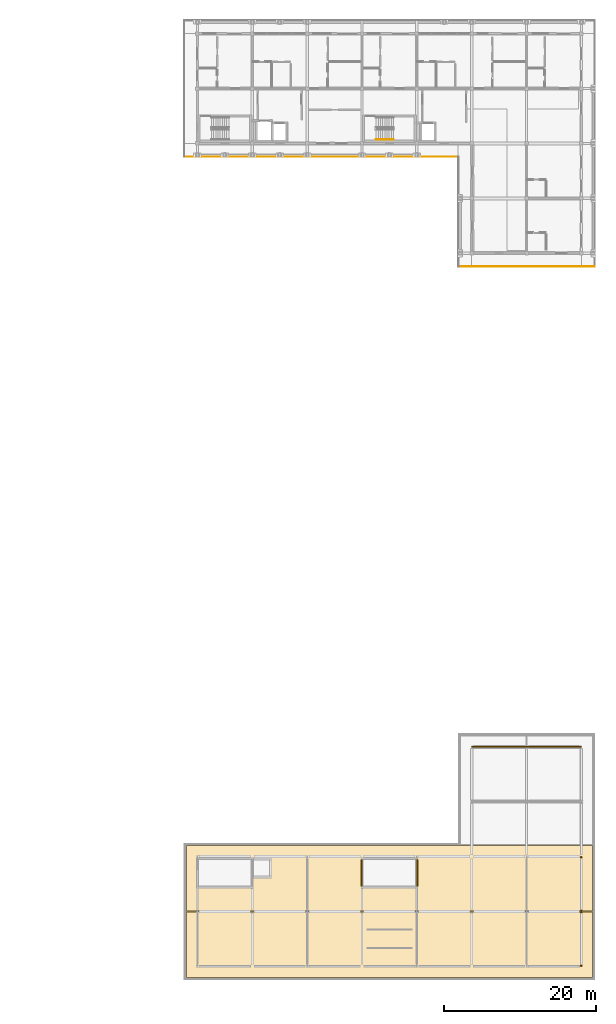
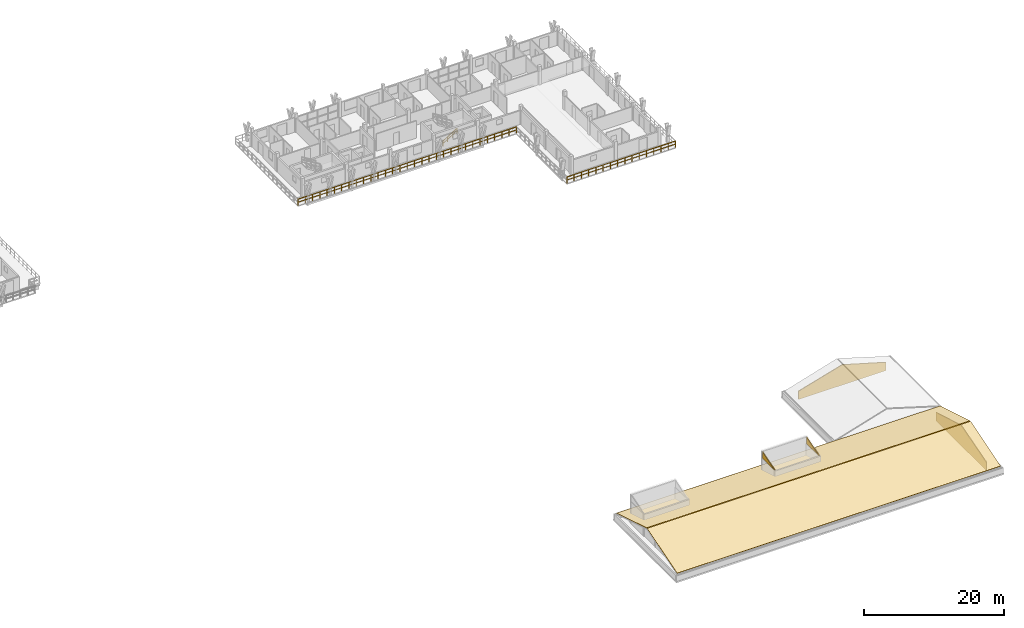
# One storey, part 43 of 45: 6 coverings, 3 railings.
"""IFC4 building model written with IfcOpenShell, lengths in metres."""

from ifc_helpers import new_model, si_unit, direction, frame, origin, origin_2d, place, context, subcontext, project, spatial, polyline, rectangle, outline, extrude, material, layer, layer_set, type_object, element, save


model = new_model("IFC4")

# Units and contexts
model_context = context("Model", 3, precision=1e-05, world=origin(), true_north=direction((0.0, 1.0)))
body_context = subcontext(model_context, "Body", "Model", "MODEL_VIEW")
ifc_project = project(units=[si_unit("LENGTHUNIT", "METRE"), si_unit("AREAUNIT", "SQUARE_METRE"), si_unit("VOLUMEUNIT", "CUBIC_METRE"), si_unit("PLANEANGLEUNIT", "RADIAN"), si_unit("MASSUNIT", "GRAM", prefix="KILO")], contexts=[model_context])

# Site, building, storey
site_placement = place(None, origin())
site = spatial("IfcSite", under=ifc_project, at=site_placement, CompositionType="ELEMENT")
building_placement = place(site_placement, origin())
building = spatial("IfcBuilding", under=site, at=building_placement, Name="Suanplinth Sawtooth Commons", CompositionType="ELEMENT")
storey_placement = place(building_placement, frame((0.0, 0.0, 38.0)))
storey = spatial("IfcBuildingStorey", under=building, at=storey_placement, Name="L11", CompositionType="ELEMENT", Elevation=38.0)

# Coverings
ifc_material_1 = material(Name="Insulated zinc-aluminium architectural wall panel", Category="aluminium")
ifc_layer_1 = layer(ifc_material_1, 0.139892578125, Name="Insulated architectural gable tympanum cladding 140mm")
ifc_layer_set_1 = layer_set([ifc_layer_1], Name="Insulated zinc-aluminium architectural wall panel")
covering_type_1 = type_object("IfcCoveringType", Name="CV-CL02", PredefinedType="CLADDING", material=ifc_layer_set_1)
for number, where, z_axis, x_axis, name in (
    (1, (187.199951171875, 0.0, 0.0), (0.0, 0.0, 1.0), (0.0, 1.0, 0.0), "L11 Block C Crown E Gable Tympanum"),
    (2, (172.800048828125, 28.800048828125, 0.0), (0.0, 0.0, 1.0), (1.0, 0.0, 0.0), "L11 Block C Return Wing Gable Tympanum"),
):
    element("IfcCovering", number, at=place(storey_placement, frame(where, z_axis=z_axis, x_axis=x_axis)), inside=storey, type_object=covering_type_1, Name=name, PredefinedType="CLADDING", context=body_context, shape_type="SweptSolid", body=[
        extrude(outline(polyline([(0.0, 0.0), (14.39990234375, 0.0), (14.39990234375, 1.449951171875), (7.199951171875, 3.5400390625), (0.0, 1.449951171875), (0.0, 0.0)])), frame((0.0, 0.06982421875, 0.0), z_axis=(0.0, -1.0, 0.0), x_axis=(1.0, 0.0, 0.0)), (0.0, 0.0, 1.0), 0.139892578125),
    ])
for number, where, z_axis, x_axis, name in (
    (3, (158.3701171875, 10.5048828125, 3.820068359375), (0.0, 0.0, 1.0), (0.0, 1.0, 0.0), "Stair ST-S2 Headhouse Rake Cladding W"),
    (4, (165.6298828125, 10.5048828125, 3.820068359375), (0.0, 0.0, 1.0), (0.0, 1.0, 0.0), "Stair ST-S2 Headhouse Rake Cladding E"),
):
    element("IfcCovering", number, at=place(storey_placement, frame(where, z_axis=z_axis, x_axis=x_axis)), inside=storey, type_object=covering_type_1, Name=name, PredefinedType="CLADDING", context=body_context, shape_type="SweptSolid", body=[
        extrude(outline(polyline([(0.0, 0.0), (3.490234375, 0.0), (3.489990234375, 1.099853515625), (0.0, 0.0), (0.0, 0.0)])), frame((0.0, 0.06982421875, 0.0), z_axis=(0.0, -1.0, 0.0), x_axis=(1.0, 0.0, 0.0)), (0.0, 0.0, 1.0), 0.139892578125),
    ])
ifc_material_2 = material(Name="Standing-seam zinc-aluminium alloy sheet", Category="aluminium")
ifc_layer_2 = layer(ifc_material_2, 0.06494140625, Name="Standing-seam zinc-aluminium roof cladding 65mm")
ifc_layer_set_2 = layer_set([ifc_layer_2], Name="Standing-seam zinc-aluminium alloy sheet")
covering_type_2 = type_object("IfcCoveringType", Name="CV-RF01", PredefinedType="ROOFING", material=ifc_layer_set_2)
covering_1_placement = place(storey_placement, frame((135.35009765625, -1.449951171875, 1.155029296875), z_axis=(0.0, -0.290709251119, 0.956811439791), x_axis=(1.0, 0.0, 0.0)))
element("IfcCovering", 5, at=covering_1_placement, inside=storey, type_object=covering_type_2, Name="L11 Block C Crown South Standing-Seam Roof", PredefinedType="ROOFING", context=body_context, shape_type="SweptSolid", body=[
    extrude(outline(polyline([(0.0, 0.0), (53.2998046875, 0.0), (53.2998046875, 8.977572166027468), (0.0, 8.977572166027468), (0.0, 0.0)])), origin(), (0.0, 0.0, -1.0), 0.06494140625),
])
covering_2_placement = place(storey_placement, frame((135.35009765625, 15.85009765625, 1.155029296875), z_axis=(0.0, 0.290701687048, 0.956813737959), x_axis=(1.0, 0.0, 0.0)))
element("IfcCovering", 6, at=covering_2_placement, inside=storey, type_object=covering_type_2, Name="L11 Block C Crown North Standing-Seam Roof", PredefinedType="ROOFING", context=body_context, shape_type="SweptSolid", body=[
    extrude(outline(polyline([(0.0, 0.0), (53.2998046875, 0.0), (53.2998046875, -8.977805762850926), (0.0, -8.977805762850926), (0.0, 0.0)])), origin(), (0.0, 0.0, -1.0), 0.06494140625),
])

# Railings
ifc_material_3 = material(Name="Powder-coated galvanized steel", Category="steel")
railing_type_1 = type_object("IfcRailingType", Name="GR-01", PredefinedType="BALUSTRADE", material=ifc_material_3)
railing_1_placement = place(storey_placement, frame((171.06005859375, 106.260009765625, 0.0)))
element("IfcRailing", 7, at=railing_1_placement, inside=storey, type_object=railing_type_1, Name="L11 Block B Perimeter Balustrade 2", PredefinedType="BALUSTRADE", context=body_context, shape_type="SweptSolid", body=[
    extrude(rectangle(XDim=0.048095703125, YDim=0.048095703125, at=origin_2d()), frame((0.0, 0.0, 1.09619140625), z_axis=(-1.0, 0.0, 0.0), x_axis=(0.0, -1.0, 0.0)), (0.0, 0.0, 1.0), 36.0),
    extrude(rectangle(XDim=0.03369140625, YDim=0.03369140625, at=origin_2d()), frame((0.0, 0.0, 0.56005859375), z_axis=(-1.0, 0.0, 0.0), x_axis=(0.0, -1.0, 0.0)), (0.0, 0.0, 1.0), 36.0),
    extrude(rectangle(XDim=0.0419921875, YDim=0.0419921875, at=origin_2d()), origin(), (0.0, 0.0, 1.0), 1.072021484375),
    extrude(rectangle(XDim=0.0419921875, YDim=0.0419921875, at=origin_2d()), frame((-1.199951171875, 0.0, 0.0)), (0.0, 0.0, 1.0), 1.072021484375),
    extrude(rectangle(XDim=0.0419921875, YDim=0.0419921875, at=origin_2d()), frame((-2.39990234375, 0.0, 0.0)), (0.0, 0.0, 1.0), 1.072021484375),
    extrude(rectangle(XDim=0.0419921875, YDim=0.0419921875, at=origin_2d()), frame((-3.60009765625, 0.0, 0.0)), (0.0, 0.0, 1.0), 1.072021484375),
    extrude(rectangle(XDim=0.0419921875, YDim=0.0419921875, at=origin_2d()), frame((-4.800048828125, 0.0, 0.0)), (0.0, 0.0, 1.0), 1.072021484375),
    extrude(rectangle(XDim=0.0419921875, YDim=0.0419921875, at=origin_2d()), frame((-6.0, 0.0, 0.0)), (0.0, 0.0, 1.0), 1.072021484375),
    extrude(rectangle(XDim=0.0419921875, YDim=0.0419921875, at=origin_2d()), frame((-7.199951171875, 0.0, 0.0)), (0.0, 0.0, 1.0), 1.072021484375),
    extrude(rectangle(XDim=0.0419921875, YDim=0.0419921875, at=origin_2d()), frame((-8.39990234375, 0.0, 0.0)), (0.0, 0.0, 1.0), 1.072021484375),
    extrude(rectangle(XDim=0.0419921875, YDim=0.0419921875, at=origin_2d()), frame((-9.60009765625, 0.0, 0.0)), (0.0, 0.0, 1.0), 1.072021484375),
    extrude(rectangle(XDim=0.0419921875, YDim=0.0419921875, at=origin_2d()), frame((-10.800048828125, 0.0, 0.0)), (0.0, 0.0, 1.0), 1.072021484375),
    extrude(rectangle(XDim=0.0419921875, YDim=0.0419921875, at=origin_2d()), frame((-12.0, 0.0, 0.0)), (0.0, 0.0, 1.0), 1.072021484375),
    extrude(rectangle(XDim=0.0419921875, YDim=0.0419921875, at=origin_2d()), frame((-13.199951171875, 0.0, 0.0)), (0.0, 0.0, 1.0), 1.072021484375),
    extrude(rectangle(XDim=0.0419921875, YDim=0.0419921875, at=origin_2d()), frame((-14.39990234375, 0.0, 0.0)), (0.0, 0.0, 1.0), 1.072021484375),
    extrude(rectangle(XDim=0.0419921875, YDim=0.0419921875, at=origin_2d()), frame((-15.60009765625, 0.0, 0.0)), (0.0, 0.0, 1.0), 1.072021484375),
    extrude(rectangle(XDim=0.0419921875, YDim=0.0419921875, at=origin_2d()), frame((-16.800048828125, 0.0, 0.0)), (0.0, 0.0, 1.0), 1.072021484375),
    extrude(rectangle(XDim=0.0419921875, YDim=0.0419921875, at=origin_2d()), frame((-18.0, 0.0, 0.0)), (0.0, 0.0, 1.0), 1.072021484375),
    extrude(rectangle(XDim=0.0419921875, YDim=0.0419921875, at=origin_2d()), frame((-19.199951171875, 0.0, 0.0)), (0.0, 0.0, 1.0), 1.072021484375),
    extrude(rectangle(XDim=0.0419921875, YDim=0.0419921875, at=origin_2d()), frame((-20.39990234375, 0.0, 0.0)), (0.0, 0.0, 1.0), 1.072021484375),
    extrude(rectangle(XDim=0.0419921875, YDim=0.0419921875, at=origin_2d()), frame((-21.60009765625, 0.0, 0.0)), (0.0, 0.0, 1.0), 1.072021484375),
    extrude(rectangle(XDim=0.0419921875, YDim=0.0419921875, at=origin_2d()), frame((-22.800048828125, 0.0, 0.0)), (0.0, 0.0, 1.0), 1.072021484375),
    extrude(rectangle(XDim=0.0419921875, YDim=0.0419921875, at=origin_2d()), frame((-24.0, 0.0, 0.0)), (0.0, 0.0, 1.0), 1.072021484375),
    extrude(rectangle(XDim=0.0419921875, YDim=0.0419921875, at=origin_2d()), frame((-25.199951171875, 0.0, 0.0)), (0.0, 0.0, 1.0), 1.072021484375),
    extrude(rectangle(XDim=0.0419921875, YDim=0.0419921875, at=origin_2d()), frame((-26.39990234375, 0.0, 0.0)), (0.0, 0.0, 1.0), 1.072021484375),
    extrude(rectangle(XDim=0.0419921875, YDim=0.0419921875, at=origin_2d()), frame((-27.60009765625, 0.0, 0.0)), (0.0, 0.0, 1.0), 1.072021484375),
    extrude(rectangle(XDim=0.0419921875, YDim=0.0419921875, at=origin_2d()), frame((-28.800048828125, 0.0, 0.0)), (0.0, 0.0, 1.0), 1.072021484375),
    extrude(rectangle(XDim=0.0419921875, YDim=0.0419921875, at=origin_2d()), frame((-30.0, 0.0, 0.0)), (0.0, 0.0, 1.0), 1.072021484375),
    extrude(rectangle(XDim=0.0419921875, YDim=0.0419921875, at=origin_2d()), frame((-31.199951171875, 0.0, 0.0)), (0.0, 0.0, 1.0), 1.072021484375),
    extrude(rectangle(XDim=0.0419921875, YDim=0.0419921875, at=origin_2d()), frame((-32.39990234375, 0.0, 0.0)), (0.0, 0.0, 1.0), 1.072021484375),
    extrude(rectangle(XDim=0.0419921875, YDim=0.0419921875, at=origin_2d()), frame((-33.60009765625, 0.0, 0.0)), (0.0, 0.0, 1.0), 1.072021484375),
    extrude(rectangle(XDim=0.0419921875, YDim=0.0419921875, at=origin_2d()), frame((-34.800048828125, 0.0, 0.0)), (0.0, 0.0, 1.0), 1.072021484375),
    extrude(rectangle(XDim=0.0419921875, YDim=0.0419921875, at=origin_2d()), frame((-36.0, 0.0, 0.0)), (0.0, 0.0, 1.0), 1.072021484375),
])
railing_2_placement = place(storey_placement, frame((188.93994140625, 91.860107421875, 0.0)))
element("IfcRailing", 8, at=railing_2_placement, inside=storey, type_object=railing_type_1, Name="L11 Block B Perimeter Balustrade 6", PredefinedType="BALUSTRADE", context=body_context, shape_type="SweptSolid", body=[
    extrude(rectangle(XDim=0.048095703125, YDim=0.048095703125, at=origin_2d()), frame((0.0, 0.0, 1.09619140625), z_axis=(-1.0, 0.0, 0.0), x_axis=(0.0, -1.0, 0.0)), (0.0, 0.0, 1.0), 17.8798828125),
    extrude(rectangle(XDim=0.03369140625, YDim=0.03369140625, at=origin_2d()), frame((0.0, 0.0, 0.56005859375), z_axis=(-1.0, 0.0, 0.0), x_axis=(0.0, -1.0, 0.0)), (0.0, 0.0, 1.0), 17.8798828125),
    extrude(rectangle(XDim=0.0419921875, YDim=0.0419921875, at=origin_2d()), origin(), (0.0, 0.0, 1.0), 1.072021484375),
    extrude(rectangle(XDim=0.0419921875, YDim=0.0419921875, at=origin_2d()), frame((-1.19189453125, 0.0, 0.0)), (0.0, 0.0, 1.0), 1.072021484375),
    extrude(rectangle(XDim=0.0419921875, YDim=0.0419921875, at=origin_2d()), frame((-2.384033203125, 0.0, 0.0)), (0.0, 0.0, 1.0), 1.072021484375),
    extrude(rectangle(XDim=0.0419921875, YDim=0.0419921875, at=origin_2d()), frame((-3.575927734375, 0.0, 0.0)), (0.0, 0.0, 1.0), 1.072021484375),
    extrude(rectangle(XDim=0.0419921875, YDim=0.0419921875, at=origin_2d()), frame((-4.76806640625, 0.0, 0.0)), (0.0, 0.0, 1.0), 1.072021484375),
    extrude(rectangle(XDim=0.0419921875, YDim=0.0419921875, at=origin_2d()), frame((-5.9599609375, 0.0, 0.0)), (0.0, 0.0, 1.0), 1.072021484375),
    extrude(rectangle(XDim=0.0419921875, YDim=0.0419921875, at=origin_2d()), frame((-7.15185546875, 0.0, 0.0)), (0.0, 0.0, 1.0), 1.072021484375),
    extrude(rectangle(XDim=0.0419921875, YDim=0.0419921875, at=origin_2d()), frame((-8.343994140625, 0.0, 0.0)), (0.0, 0.0, 1.0), 1.072021484375),
    extrude(rectangle(XDim=0.0419921875, YDim=0.0419921875, at=origin_2d()), frame((-9.535888671875, 0.0, 0.0)), (0.0, 0.0, 1.0), 1.072021484375),
    extrude(rectangle(XDim=0.0419921875, YDim=0.0419921875, at=origin_2d()), frame((-10.72802734375, 0.0, 0.0)), (0.0, 0.0, 1.0), 1.072021484375),
    extrude(rectangle(XDim=0.0419921875, YDim=0.0419921875, at=origin_2d()), frame((-11.919921875, 0.0, 0.0)), (0.0, 0.0, 1.0), 1.072021484375),
    extrude(rectangle(XDim=0.0419921875, YDim=0.0419921875, at=origin_2d()), frame((-13.11181640625, 0.0, 0.0)), (0.0, 0.0, 1.0), 1.072021484375),
    extrude(rectangle(XDim=0.0419921875, YDim=0.0419921875, at=origin_2d()), frame((-14.303955078125, 0.0, 0.0)), (0.0, 0.0, 1.0), 1.072021484375),
    extrude(rectangle(XDim=0.0419921875, YDim=0.0419921875, at=origin_2d()), frame((-15.495849609375, 0.0, 0.0)), (0.0, 0.0, 1.0), 1.072021484375),
    extrude(rectangle(XDim=0.0419921875, YDim=0.0419921875, at=origin_2d()), frame((-16.68798828125, 0.0, 0.0)), (0.0, 0.0, 1.0), 1.072021484375),
    extrude(rectangle(XDim=0.0419921875, YDim=0.0419921875, at=origin_2d()), frame((-17.8798828125, 0.0, 0.0)), (0.0, 0.0, 1.0), 1.072021484375),
])
ifc_material_4 = material(Name="Stainless steel Grade 304", Category="steel")
railing_type_2 = type_object("IfcRailingType", Name="HR-01", PredefinedType="HANDRAIL", material=ifc_material_4)
railing_3_placement = place(storey_placement, frame((160.25, 108.5, 0.177734375)))
element("IfcRailing", 9, at=railing_3_placement, inside=storey, type_object=railing_type_2, Name="L11 ST-E2 Handrail 1", PredefinedType="HANDRAIL", context=body_context, shape_type="SweptSolid", body=[
    extrude(rectangle(XDim=0.048095703125, YDim=0.048095703125, at=origin_2d()), frame((0.0, 0.0, 0.8759765625), z_axis=(0.848442045328, 0.0, 0.529288291689), x_axis=(0.0, 1.0, 0.0)), (0.0, 0.0, 1.0), 2.687255859375),
    extrude(rectangle(XDim=0.03369140625, YDim=0.03369140625, at=origin_2d()), frame((0.0, 0.0, 0.449951171875), z_axis=(0.848442045328, 0.0, 0.529288291689), x_axis=(0.0, 1.0, 0.0)), (0.0, 0.0, 1.0), 2.687255859375),
    extrude(rectangle(XDim=0.0419921875, YDim=0.0419921875, at=origin_2d()), origin(), (0.0, 0.0, 1.0), 0.851806640625),
    extrude(rectangle(XDim=0.0419921875, YDim=0.0419921875, at=origin_2d()), frame((0.760009765625, 0.0, 0.47412109375)), (0.0, 0.0, 1.0), 0.851806640625),
    extrude(rectangle(XDim=0.0419921875, YDim=0.0419921875, at=origin_2d()), frame((1.52001953125, 0.0, 0.9482421875)), (0.0, 0.0, 1.0), 0.851806640625),
    extrude(rectangle(XDim=0.0419921875, YDim=0.0419921875, at=origin_2d()), frame((2.280029296875, 0.0, 1.42236328125)), (0.0, 0.0, 1.0), 0.851806640625),
])

save(model, "model.ifc")
